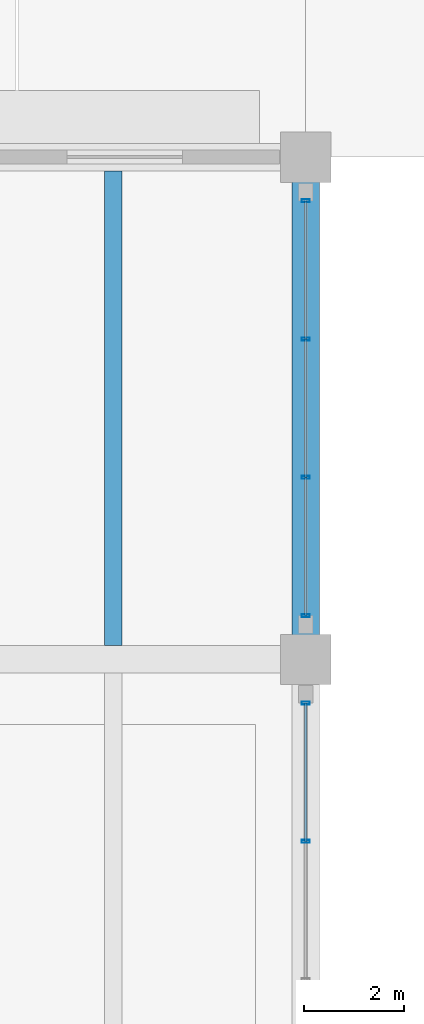
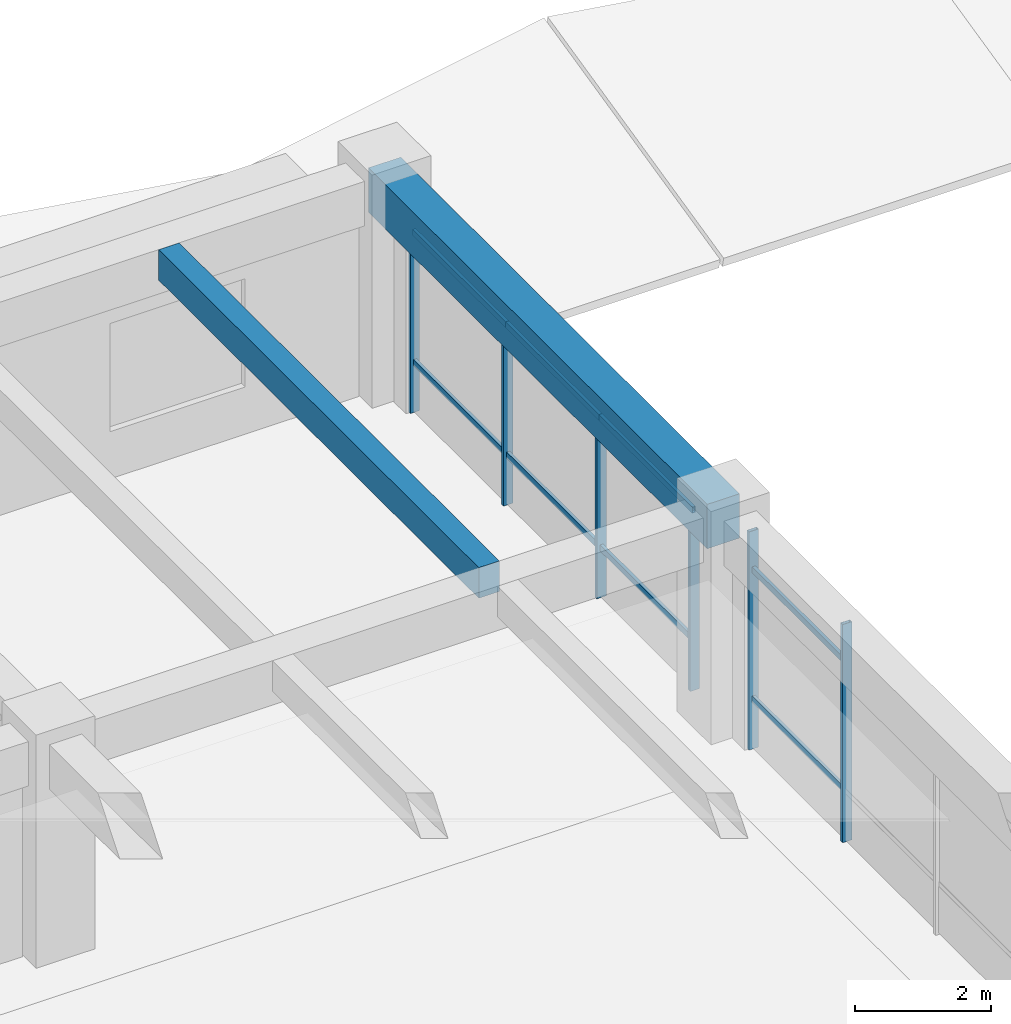
# One storey, part 40 of 98: 14 members, 2 beams, 2 elements without a shape of their own.
"""IFC4 building model written with IfcOpenShell, lengths in metres."""

from ifc_helpers import new_model, si_unit, direction, frame, origin, origin_2d, place, context, subcontext, project, spatial, rectangle, hollow_rectangle, extrude, material, material_profile, profile_set, type_object, element, aggregate, save


model = new_model("IFC4")

# Units and contexts
model_context = context("Model", 3, precision=1e-05, world=origin(), true_north=direction((0.0, 1.0)))
body_context = subcontext(model_context, "Body", "Model", "MODEL_VIEW")
ifc_project = project(units=[si_unit("LENGTHUNIT", "METRE"), si_unit("AREAUNIT", "SQUARE_METRE"), si_unit("VOLUMEUNIT", "CUBIC_METRE"), si_unit("PLANEANGLEUNIT", "RADIAN"), si_unit("MASSUNIT", "GRAM", prefix="KILO")], contexts=[model_context])

# Site, building, storey
site_placement = place(None, origin())
site = spatial("IfcSite", under=ifc_project, at=site_placement, CompositionType="ELEMENT")
building_placement = place(site_placement, origin())
building = spatial("IfcBuilding", under=site, at=building_placement, Name="Ologun Quay Terminus", CompositionType="ELEMENT")
storey_placement = place(building_placement, frame((0.0, 0.0, 4.199951171875)))
storey = spatial("IfcBuildingStorey", under=building, at=storey_placement, Name="L01", CompositionType="ELEMENT", Elevation=4.199951171875)

# Curtain wall, members
ifc_material_1 = material(Name="Aluminium 6063-T6", Category="aluminium")
curtain_wall_type = type_object("IfcCurtainWallType", Name="Rain-Garden West Courtyard Curtain Wall L01 8200x3850", PredefinedType="USERDEFINED", material=ifc_material_1)
curtain_wall_1_placement = place(storey_placement, origin())
curtain_wall_1 = element("IfcCurtainWall", 1, at=curtain_wall_1_placement, inside=storey, type_object=curtain_wall_type, Name="CW-14 Curtain Wall CW-L01-100", ObjectType="UNITISED CURTAIN WALL", PredefinedType="USERDEFINED")
ifc_material_2 = material(Name="Aluminium 6063-T6", Category="aluminium")
ifc_material_profile_1 = material_profile(ifc_material_2, hollow_rectangle(XDim=0.06005859375, YDim=0.159912109375, WallThickness=0.00390625, at=origin_2d()), Name="ALU 160x60x4")
ifc_profile_set_1 = profile_set([ifc_material_profile_1], Name="Aluminium 6063-T6")
member_type_1 = type_object("IfcMemberType", Name="Courtyard Screen Mullion 160x65", PredefinedType="MULLION", material=ifc_profile_set_1)
member_1_placement = place(storey_placement, frame((69.0, 101.1767578125, 0.0), z_axis=(0.0, 0.0, 1.0), x_axis=(0.0, 1.0, 0.0)))
member_1 = element("IfcMember", 2, at=member_1_placement, type_object=member_type_1, Name="CW-L01-100 Mullion 3", PredefinedType="MULLION", context=body_context, shape_type="SweptSolid", body=[
    extrude(hollow_rectangle(XDim=0.06005859375, YDim=0.159912109375, WallThickness=0.00390625, at=origin_2d()), origin(), (0.0, 0.0, 1.0), 3.929931640625),
])
member_2_placement = place(storey_placement, frame((69.0, 103.929931640625, 0.0), z_axis=(0.0, 0.0, 1.0), x_axis=(0.0, 1.0, 0.0)))
member_2 = element("IfcMember", 3, at=member_2_placement, type_object=member_type_1, Name="CW-L01-100 Mullion 4", PredefinedType="MULLION", context=body_context, shape_type="SweptSolid", body=[
    extrude(hollow_rectangle(XDim=0.06005859375, YDim=0.159912109375, WallThickness=0.00390625, at=origin_2d()), origin(), (0.0, 0.0, 1.0), 3.929931640625),
])

curtain_wall_2_placement = place(storey_placement, origin())
curtain_wall_2 = element("IfcCurtainWall", 4, at=curtain_wall_2_placement, inside=storey, type_object=curtain_wall_type, Name="CW-14 Curtain Wall CW-L01-101", ObjectType="UNITISED CURTAIN WALL", PredefinedType="USERDEFINED")
member_3_placement = place(storey_placement, frame((69.0, 105.669921875, 0.0), z_axis=(0.0, 0.0, 1.0), x_axis=(0.0, 1.0, 0.0)))
member_3 = element("IfcMember", 5, at=member_3_placement, type_object=member_type_1, Name="CW-L01-101 Mullion 1", PredefinedType="MULLION", context=body_context, shape_type="SweptSolid", body=[
    extrude(hollow_rectangle(XDim=0.06005859375, YDim=0.159912109375, WallThickness=0.00390625, at=origin_2d()), origin(), (0.0, 0.0, 1.0), 3.929931640625),
])
member_4_placement = place(storey_placement, frame((69.0, 108.42333984375, 0.0), z_axis=(0.0, 0.0, 1.0), x_axis=(0.0, 1.0, 0.0)))
member_4 = element("IfcMember", 6, at=member_4_placement, type_object=member_type_1, Name="CW-L01-101 Mullion 2", PredefinedType="MULLION", context=body_context, shape_type="SweptSolid", body=[
    extrude(hollow_rectangle(XDim=0.06005859375, YDim=0.159912109375, WallThickness=0.00390625, at=origin_2d()), origin(), (0.0, 0.0, 1.0), 3.929931640625),
])
member_5_placement = place(storey_placement, frame((69.0, 111.1767578125, 0.0), z_axis=(0.0, 0.0, 1.0), x_axis=(0.0, 1.0, 0.0)))
member_5 = element("IfcMember", 7, at=member_5_placement, type_object=member_type_1, Name="CW-L01-101 Mullion 3", PredefinedType="MULLION", context=body_context, shape_type="SweptSolid", body=[
    extrude(hollow_rectangle(XDim=0.06005859375, YDim=0.159912109375, WallThickness=0.00390625, at=origin_2d()), origin(), (0.0, 0.0, 1.0), 3.929931640625),
])
member_6_placement = place(storey_placement, frame((69.0, 113.929931640625, 0.0), z_axis=(0.0, 0.0, 1.0), x_axis=(0.0, 1.0, 0.0)))
member_6 = element("IfcMember", 8, at=member_6_placement, type_object=member_type_1, Name="CW-L01-101 Mullion 4", PredefinedType="MULLION", context=body_context, shape_type="SweptSolid", body=[
    extrude(hollow_rectangle(XDim=0.06005859375, YDim=0.159912109375, WallThickness=0.00390625, at=origin_2d()), origin(), (0.0, 0.0, 1.0), 3.929931640625),
])

# Member
ifc_material_3 = material(Name="Aluminium 6063-T6", Category="aluminium")
ifc_material_profile_2 = material_profile(ifc_material_3, hollow_rectangle(XDim=0.054931640625, YDim=0.110107421875, WallThickness=0.00390625, at=origin_2d()), Name="ALU 110x55x4")
ifc_profile_set_2 = profile_set([ifc_material_profile_2], Name="Aluminium 6063-T6")
member_type_2 = type_object("IfcMemberType", Name="Courtyard Screen Transom 110x55", PredefinedType="USERDEFINED", material=ifc_profile_set_2)
member_7_placement = place(storey_placement, frame((69.0, 101.1767578125, 0.900146484375), z_axis=(0.0, 1.0, 0.0), x_axis=(-1.0, 0.0, 0.0)))
member_7 = element("IfcMember", 9, at=member_7_placement, type_object=member_type_2, Name="CW-L01-100 Transom B3-1", ObjectType="TRANSOM", PredefinedType="USERDEFINED", context=body_context, shape_type="SweptSolid", body=[
    extrude(hollow_rectangle(XDim=0.054931640625, YDim=0.110107421875, WallThickness=0.00390625, at=origin_2d()), origin(), (0.0, 0.0, 1.0), 2.753173828125),
])

member_8_placement = place(storey_placement, frame((69.0, 101.1767578125, 3.22998046875), z_axis=(0.0, 1.0, 0.0), x_axis=(-1.0, 0.0, 0.0)))
member_8 = element("IfcMember", 10, at=member_8_placement, type_object=member_type_2, Name="CW-L01-100 Transom B3-2", ObjectType="TRANSOM", PredefinedType="USERDEFINED", context=body_context, shape_type="SweptSolid", body=[
    extrude(hollow_rectangle(XDim=0.054931640625, YDim=0.110107421875, WallThickness=0.00390625, at=origin_2d()), origin(), (0.0, 0.0, 1.0), 2.753173828125),
])

aggregate(curtain_wall_1, [member_1, member_2, member_7, member_8])

member_9_placement = place(storey_placement, frame((69.0, 105.669921875, 0.900146484375), z_axis=(0.0, 1.0, 0.0), x_axis=(-1.0, 0.0, 0.0)))
member_9 = element("IfcMember", 11, at=member_9_placement, type_object=member_type_2, Name="CW-L01-101 Transom B1-1", ObjectType="TRANSOM", PredefinedType="USERDEFINED", context=body_context, shape_type="SweptSolid", body=[
    extrude(hollow_rectangle(XDim=0.054931640625, YDim=0.110107421875, WallThickness=0.00390625, at=origin_2d()), origin(), (0.0, 0.0, 1.0), 2.75341796875),
])

member_10_placement = place(storey_placement, frame((69.0, 105.669921875, 3.22998046875), z_axis=(0.0, 1.0, 0.0), x_axis=(-1.0, 0.0, 0.0)))
member_10 = element("IfcMember", 12, at=member_10_placement, type_object=member_type_2, Name="CW-L01-101 Transom B1-2", ObjectType="TRANSOM", PredefinedType="USERDEFINED", context=body_context, shape_type="SweptSolid", body=[
    extrude(hollow_rectangle(XDim=0.054931640625, YDim=0.110107421875, WallThickness=0.00390625, at=origin_2d()), origin(), (0.0, 0.0, 1.0), 2.75341796875),
])

member_11_placement = place(storey_placement, frame((69.0, 108.42333984375, 0.900146484375), z_axis=(0.0, 1.0, 0.0), x_axis=(-1.0, 0.0, 0.0)))
member_11 = element("IfcMember", 13, at=member_11_placement, type_object=member_type_2, Name="CW-L01-101 Transom B2-1", ObjectType="TRANSOM", PredefinedType="USERDEFINED", context=body_context, shape_type="SweptSolid", body=[
    extrude(hollow_rectangle(XDim=0.054931640625, YDim=0.110107421875, WallThickness=0.00390625, at=origin_2d()), origin(), (0.0, 0.0, 1.0), 2.75341796875),
])

member_12_placement = place(storey_placement, frame((69.0, 108.42333984375, 3.22998046875), z_axis=(0.0, 1.0, 0.0), x_axis=(-1.0, 0.0, 0.0)))
member_12 = element("IfcMember", 14, at=member_12_placement, type_object=member_type_2, Name="CW-L01-101 Transom B2-2", ObjectType="TRANSOM", PredefinedType="USERDEFINED", context=body_context, shape_type="SweptSolid", body=[
    extrude(hollow_rectangle(XDim=0.054931640625, YDim=0.110107421875, WallThickness=0.00390625, at=origin_2d()), origin(), (0.0, 0.0, 1.0), 2.75341796875),
])

member_13_placement = place(storey_placement, frame((69.0, 111.1767578125, 0.900146484375), z_axis=(0.0, 1.0, 0.0), x_axis=(-1.0, 0.0, 0.0)))
member_13 = element("IfcMember", 15, at=member_13_placement, type_object=member_type_2, Name="CW-L01-101 Transom B3-1", ObjectType="TRANSOM", PredefinedType="USERDEFINED", context=body_context, shape_type="SweptSolid", body=[
    extrude(hollow_rectangle(XDim=0.054931640625, YDim=0.110107421875, WallThickness=0.00390625, at=origin_2d()), origin(), (0.0, 0.0, 1.0), 2.753173828125),
])

member_14_placement = place(storey_placement, frame((69.0, 111.1767578125, 3.22998046875), z_axis=(0.0, 1.0, 0.0), x_axis=(-1.0, 0.0, 0.0)))
member_14 = element("IfcMember", 16, at=member_14_placement, type_object=member_type_2, Name="CW-L01-101 Transom B3-2", ObjectType="TRANSOM", PredefinedType="USERDEFINED", context=body_context, shape_type="SweptSolid", body=[
    extrude(hollow_rectangle(XDim=0.054931640625, YDim=0.110107421875, WallThickness=0.00390625, at=origin_2d()), origin(), (0.0, 0.0, 1.0), 2.753173828125),
])

aggregate(curtain_wall_2, [member_3, member_4, member_5, member_6, member_9, member_10, member_11, member_12, member_13, member_14])

# Beams
ifc_material_4 = material(Name="Concrete C40/50", Category="concrete")
ifc_material_profile_3 = material_profile(ifc_material_4, rectangle(XDim=0.550048828125, YDim=0.800048828125, at=origin_2d()), Name="RC 550x800")
ifc_profile_set_3 = profile_set([ifc_material_profile_3], Name="Concrete C40/50")
beam_type_1 = type_object("IfcBeamType", Name="Courtyard Wing Primary Girder 550x800", PredefinedType="BEAM", material=ifc_profile_set_3)
beam_1_placement = place(storey_placement, frame((69.0, 104.800048828125, 3.550048828125), z_axis=(0.0, 1.0, 0.0), x_axis=(-1.0, 0.0, 0.0)))
element("IfcBeam", 17, at=beam_1_placement, inside=storey, type_object=beam_type_1, Name="B4 Beam 7/J L01", PredefinedType="BEAM", context=body_context, shape_type="SweptSolid", body=[
    extrude(rectangle(XDim=0.550048828125, YDim=0.800048828125, at=origin_2d()), origin(), (0.0, 0.0, 1.0), 10.0),
])
ifc_material_5 = material(Name="Concrete C40/50", Category="concrete")
ifc_material_profile_4 = material_profile(ifc_material_5, rectangle(XDim=0.35009765625, YDim=0.550048828125, at=origin_2d()), Name="RC 350x550")
ifc_profile_set_4 = profile_set([ifc_material_profile_4], Name="Concrete C40/50")
beam_type_2 = type_object("IfcBeamType", Name="Courtyard Wing Secondary Joist 350x550", PredefinedType="JOIST", material=ifc_profile_set_4)
beam_2_placement = place(storey_placement, frame((65.166748046875, 105.074951171875, 3.675048828125), z_axis=(0.0, 1.0, 0.0), x_axis=(-1.0, 0.0, 0.0)))
element("IfcBeam", 18, at=beam_2_placement, inside=storey, type_object=beam_type_2, Name="J2 Beam 6/J L01", PredefinedType="JOIST", context=body_context, shape_type="SweptSolid", body=[
    extrude(rectangle(XDim=0.35009765625, YDim=0.550048828125, at=origin_2d()), origin(), (0.0, 0.0, 1.0), 9.449951171875),
])

save(model, "model.ifc")
